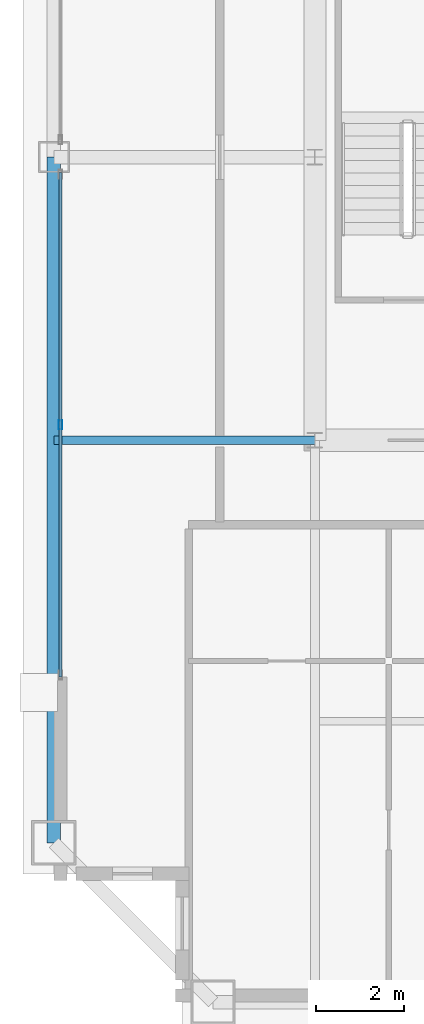
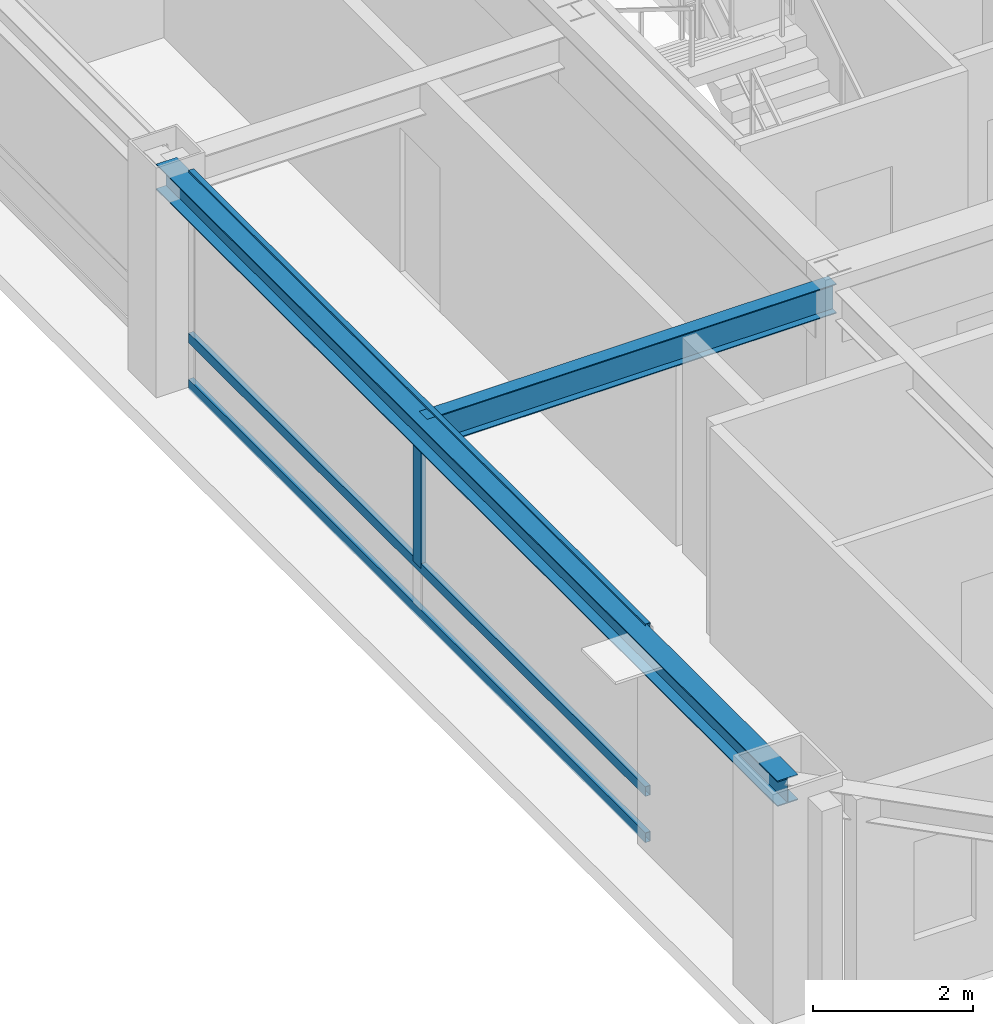
# One storey, part 6 of 35: 4 members, 2 beams, 1 element without a shape of its own.
"""IFC4 building model written with IfcOpenShell, lengths in metres."""

from ifc_helpers import new_model, si_unit, direction, frame, origin, origin_2d, place, context, subcontext, project, spatial, hollow_rectangle, i_section, extrude, source, transform, mapped, material, layer, layer_set, material_profile, profile_set, type_object, element, aggregate, save


model = new_model("IFC4")

# Units and contexts
model_context = context("Model", 3, precision=1e-05, world=origin(), true_north=direction((0.0, 1.0)))
body_context = subcontext(model_context, "Body", "Model", "MODEL_VIEW")
ifc_project = project(units=[si_unit("LENGTHUNIT", "METRE"), si_unit("AREAUNIT", "SQUARE_METRE"), si_unit("VOLUMEUNIT", "CUBIC_METRE"), si_unit("PLANEANGLEUNIT", "RADIAN"), si_unit("MASSUNIT", "GRAM", prefix="KILO"), si_unit("THERMODYNAMICTEMPERATUREUNIT", "KELVIN"), si_unit("POWERUNIT", "WATT")], contexts=[model_context])

# Site, building, storey
site_placement = place(None, origin())
site = spatial("IfcSite", under=ifc_project, at=site_placement, CompositionType="ELEMENT")
building_placement = place(site_placement, origin())
building = spatial("IfcBuilding", under=site, at=building_placement, Name="Yuzanri Waterfront Tower", CompositionType="ELEMENT")
storey_placement = place(building_placement, frame((0.0, 0.0, 296.10009765625)))
storey = spatial("IfcBuildingStorey", under=building, at=storey_placement, Name="L79", CompositionType="ELEMENT", Elevation=296.10009765625)

# Beams
ifc_material_1 = material(Name="Steel Q355B", Category="steel")
ifc_material_profile_1 = material_profile(ifc_material_1, i_section(OverallWidth=0.300048828125, OverallDepth=0.389892578125, WebThickness=0.010009765625, FlangeThickness=0.01611328125, at=origin_2d()), Name="HM 390x300x10x16")
ifc_profile_set_1 = profile_set([ifc_material_profile_1], Name="Steel Q355B")
beam_type_1 = type_object("IfcBeamType", Name="Perimeter Spandrel Q355B HM 390x300", PredefinedType="SPANDREL", material=ifc_profile_set_1)
shared_shape_1 = source(origin(), body_context, "Body", "SweptSolid", [
    extrude(i_section(OverallWidth=0.300048828125, OverallDepth=0.389892578125, WebThickness=0.010009765625, FlangeThickness=0.01611328125, at=origin_2d()), origin(), (0.0, 0.0, 1.0), 15.5),
])
beam_1_placement = place(storey_placement, frame((17.89990234375, 25.800048828125, 3.0849609375), z_axis=(0.0, -1.0, 0.0), x_axis=(1.0, 0.0, 0.0)))
element("IfcBeam", 1, at=beam_1_placement, inside=storey, type_object=beam_type_1, Name="L79 Perimeter Spandrel W2-W1", PredefinedType="SPANDREL", context=body_context, shape_type="MappedRepresentation", body=[
    mapped(shared_shape_1, transform((0.0, 0.0, 0.0), scale=1.0)),
])
ifc_material_2 = material(Name="Steel Q355B", Category="steel")
ifc_material_profile_2 = material_profile(ifc_material_2, i_section(OverallWidth=0.199951171875, OverallDepth=0.449951171875, WebThickness=0.009033203125, FlangeThickness=0.013916015625, at=origin_2d()), Name="HN 450x200x9x14")
ifc_profile_set_2 = profile_set([ifc_material_profile_2], Name="Steel Q355B")
beam_type_2 = type_object("IfcBeamType", Name="Secondary Floor Beam Q355B HN 450x200", PredefinedType="BEAM", material=ifc_profile_set_2)
shared_shape_2 = source(origin(), body_context, "Body", "SweptSolid", [
    extrude(i_section(OverallWidth=0.199951171875, OverallDepth=0.449951171875, WebThickness=0.009033203125, FlangeThickness=0.013916015625, at=origin_2d()), origin(), (0.0, 0.0, 1.0), 5.900146484375),
])
beam_2_placement = place(storey_placement, frame((23.800048828125, 19.39990234375, 3.054931640625), z_axis=(-1.0, 0.0, 0.0), x_axis=(0.0, -1.0, 0.0)))
element("IfcBeam", 2, at=beam_2_placement, inside=storey, type_object=beam_type_2, Name="L79 West-South Core Line Beam", PredefinedType="BEAM", context=body_context, shape_type="MappedRepresentation", body=[
    mapped(shared_shape_2, transform((0.0, 0.0, 0.0), scale=1.0)),
])

# Curtain wall, members
ifc_material_3 = material(Name="Anodized Architectural Bronze", Category="metal")
ifc_layer = layer(ifc_material_3, 0.159912109375)
ifc_layer_set = layer_set([ifc_layer], Name="Anodized Architectural Bronze")
curtain_wall_type = type_object("IfcCurtainWallType", Name="Anodized Bronze High-Rise Penthouse High-Wind Unitized Curtain Wall 6900", PredefinedType="NOTDEFINED", material=ifc_layer_set)
curtain_wall_placement = place(storey_placement, origin())
curtain_wall = element("IfcCurtainWall", 3, at=curtain_wall_placement, inside=storey, type_object=curtain_wall_type, Name="L79 Curtain Wall CW-L79-WL", PredefinedType="NOTDEFINED")
ifc_material_4 = material(Name="Anodized Architectural Bronze", Category="metal")
ifc_material_profile_3 = material_profile(ifc_material_4, hollow_rectangle(XDim=0.074951171875, YDim=0.199951171875, WallThickness=0.00390625, at=origin_2d()), Name="CWM 75x200")
ifc_profile_set_3 = profile_set([ifc_material_profile_3], Name="Anodized Architectural Bronze")
member_type_1 = type_object("IfcMemberType", Name="Anodized Bronze Primary Curtain-Wall Mullion 75x200", PredefinedType="MULLION", material=ifc_profile_set_3)
shared_shape_3 = source(origin(), body_context, "Body", "SweptSolid", [
    extrude(hollow_rectangle(XDim=0.074951171875, YDim=0.199951171875, WallThickness=0.00390625, at=origin_2d()), origin(), (0.0, 0.0, 1.0), 2.52392578125),
])
member_1_placement = place(storey_placement, frame((18.050048828125, 19.75, 0.755859375), z_axis=(0.0, 0.0, 1.0), x_axis=(1.0, 0.0, 0.0)))
member_1 = element("IfcMember", 4, at=member_1_placement, type_object=member_type_1, Name="CW-L79-WL Upper Mullion 01", PredefinedType="MULLION", context=body_context, shape_type="MappedRepresentation", body=[
    mapped(shared_shape_3, transform((0.0, 0.0, 0.0), scale=1.0)),
])
ifc_material_5 = material(Name="Anodized Architectural Bronze", Category="metal")
ifc_material_profile_4 = material_profile(ifc_material_5, hollow_rectangle(XDim=0.074951171875, YDim=0.14990234375, WallThickness=0.00390625, at=origin_2d()), Name="CWT 75x150")
ifc_profile_set_4 = profile_set([ifc_material_profile_4], Name="Anodized Architectural Bronze")
member_type_2 = type_object("IfcMemberType", Name="Anodized Bronze Primary Curtain-Wall Transom 75x150", PredefinedType="USERDEFINED", material=ifc_profile_set_4)
shared_shape_4 = source(origin(), body_context, "Body", "SweptSolid", [
    extrude(hollow_rectangle(XDim=0.074951171875, YDim=0.14990234375, WallThickness=0.00390625, at=origin_2d()), origin(), (0.0, 0.0, 1.0), 11.39990234375),
])
member_2_placement = place(storey_placement, frame((18.050048828125, 14.050048828125, 0.0498046875), z_axis=(0.0, 1.0, 0.0), x_axis=(-1.0, 0.0, 0.0)))
member_2 = element("IfcMember", 5, at=member_2_placement, type_object=member_type_2, Name="CW-L79-WL Transom 1", ObjectType="TRANSOM", PredefinedType="USERDEFINED", context=body_context, shape_type="MappedRepresentation", body=[
    mapped(shared_shape_4, transform((0.0, 0.0, 0.0), scale=1.0)),
])
member_3_placement = place(storey_placement, frame((18.050048828125, 14.050048828125, 0.75390625), z_axis=(0.0, 1.0, 0.0), x_axis=(-1.0, 0.0, 0.0)))
member_3 = element("IfcMember", 6, at=member_3_placement, type_object=member_type_2, Name="CW-L79-WL Transom 2", ObjectType="TRANSOM", PredefinedType="USERDEFINED", context=body_context, shape_type="MappedRepresentation", body=[
    mapped(shared_shape_4, transform((0.0, 0.0, 0.0), scale=1.0)),
])
member_4_placement = place(storey_placement, frame((18.050048828125, 14.050048828125, 3.22998046875), z_axis=(0.0, 1.0, 0.0), x_axis=(-1.0, 0.0, 0.0)))
member_4 = element("IfcMember", 7, at=member_4_placement, type_object=member_type_2, Name="CW-L79-WL Transom 3", ObjectType="TRANSOM", PredefinedType="USERDEFINED", context=body_context, shape_type="MappedRepresentation", body=[
    mapped(shared_shape_4, transform((0.0, 0.0, 0.0), scale=1.0)),
])
aggregate(curtain_wall, [member_1, member_2, member_3, member_4])

save(model, "model.ifc")
